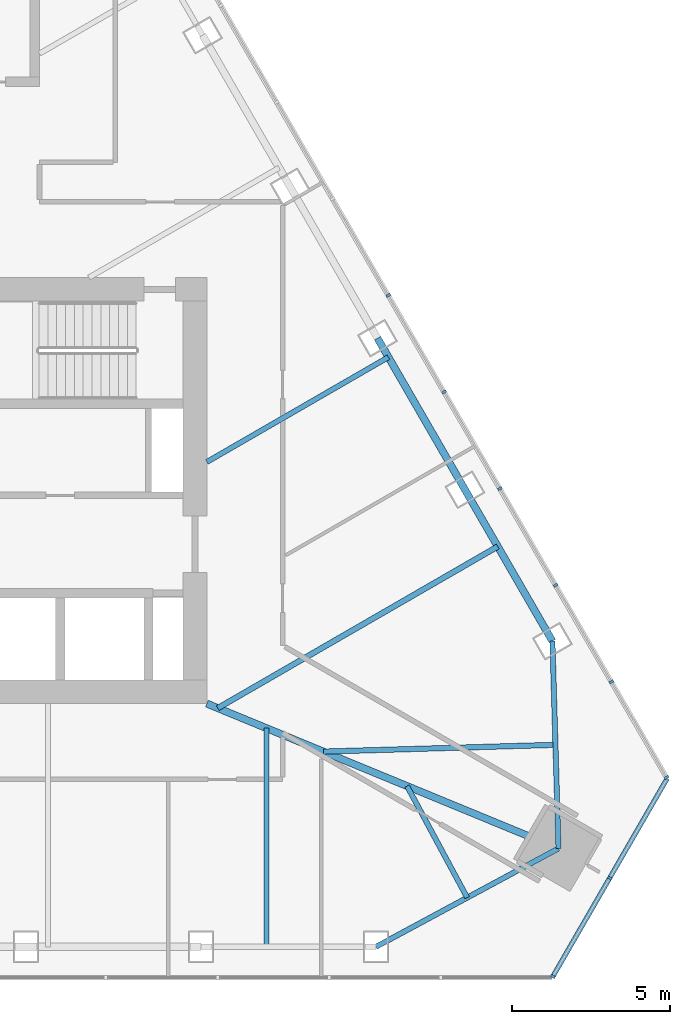
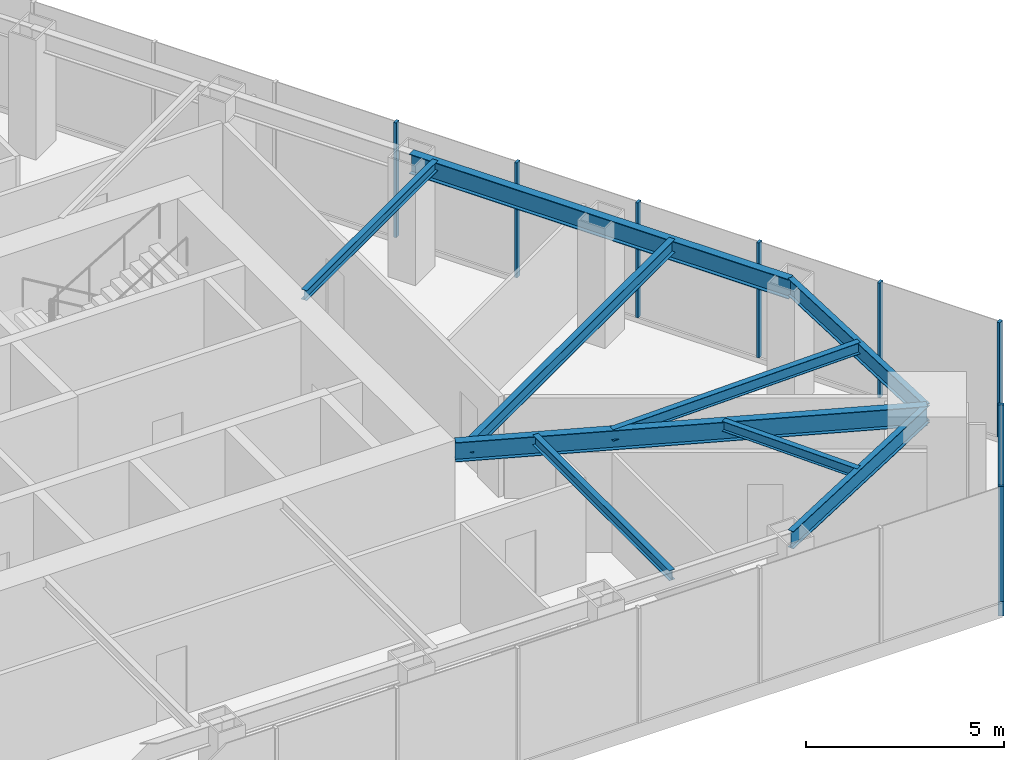
# One storey, part 7 of 13: 9 beams, 9 members, 2 elements without a shape of their own.
"""IFC4 building model written with IfcOpenShell, lengths in metres."""

from ifc_helpers import new_model, si_unit, direction, frame, origin, origin_2d, place, context, subcontext, project, spatial, rectangle, i_section, extrude, material, layer, layer_set, material_profile, profile_set, type_object, element, aggregate, save


model = new_model("IFC4")

# Units and contexts
model_context = context("Model", 3, precision=1e-05, world=origin(), true_north=direction((0.0, 1.0)))
body_context = subcontext(model_context, "Body", "Model", "MODEL_VIEW")
ifc_project = project(units=[si_unit("LENGTHUNIT", "METRE"), si_unit("AREAUNIT", "SQUARE_METRE"), si_unit("VOLUMEUNIT", "CUBIC_METRE"), si_unit("PLANEANGLEUNIT", "RADIAN"), si_unit("MASSUNIT", "GRAM", prefix="KILO")], contexts=[model_context])

# Site, building, storey
site_placement = place(None, origin())
site = spatial("IfcSite", under=ifc_project, at=site_placement, CompositionType="ELEMENT")
building_placement = place(site_placement, origin())
building = spatial("IfcBuilding", under=site, at=building_placement, Name="Firuza Gate Tower and Library", CompositionType="ELEMENT")
storey_placement = place(building_placement, frame((0.0, 0.0, 335.60009765625)))
storey = spatial("IfcBuildingStorey", under=building, at=storey_placement, Name="L82", CompositionType="ELEMENT", Elevation=335.60009765625)

# Curtain wall, members
ifc_material_1 = material(Name="Aluminium 6063-T6", Category="aluminium")
ifc_layer = layer(ifc_material_1, 0.14990234375)
ifc_layer_set = layer_set([ifc_layer], Name="Ceramic screen wall, crown plant")
curtain_wall_type = type_object("IfcCurtainWallType", Name="Ceramic screen wall, crown plant", PredefinedType="NOTDEFINED", material=ifc_layer_set)
placement = place(storey_placement, origin())
curtain_wall_1 = element("IfcCurtainWall", 1, at=placement, inside=storey, type_object=curtain_wall_type, Name="CW6 L82 SE", PredefinedType="NOTDEFINED")
ifc_material_2 = material(Name="Aluminium 6063-T6", Category="aluminium")
ifc_material_profile_1 = material_profile(ifc_material_2, rectangle(XDim=0.14990234375, YDim=0.080078125, at=origin_2d()))
ifc_profile_set_1 = profile_set([ifc_material_profile_1], Name="Aluminium 6063-T6")
member_type_1 = type_object("IfcMemberType", Name="Curtain wall mullion 80x150", PredefinedType="MULLION", material=ifc_profile_set_1)
member_1_placement = place(storey_placement, frame((94.46337890625, 59.60205078125, 0.14990234375), z_axis=(0.0, 0.0, 1.0), x_axis=(-0.866025403784, 0.5, 0.0)))
member_1 = element("IfcMember", 2, at=member_1_placement, type_object=member_type_1, Name="Mullion", PredefinedType="MULLION", context=body_context, shape_type="SweptSolid", body=[
    extrude(rectangle(XDim=0.14990234375, YDim=0.080078125, at=origin_2d()), origin(), (0.0, 0.0, 1.0), 3.550048828125),
])
member_2_placement = place(storey_placement, frame((96.264892578125, 62.72265625, 0.14990234375), z_axis=(0.0, 0.0, 1.0), x_axis=(-0.866025403784, 0.5, 0.0)))
member_2 = element("IfcMember", 3, at=member_2_placement, type_object=member_type_1, Name="Mullion", PredefinedType="MULLION", context=body_context, shape_type="SweptSolid", body=[
    extrude(rectangle(XDim=0.14990234375, YDim=0.080078125, at=origin_2d()), origin(), (0.0, 0.0, 1.0), 3.550048828125),
])

curtain_wall_2 = element("IfcCurtainWall", 4, at=placement, inside=storey, type_object=curtain_wall_type, Name="CW6 L82 E", PredefinedType="NOTDEFINED")
member_3_placement = place(storey_placement, frame((98.066650390625, 65.91259765625, 0.14990234375), z_axis=(0.0, 0.0, 1.0), x_axis=(-0.866025403784, -0.5, 0.0)))
member_3 = element("IfcMember", 5, at=member_3_placement, type_object=member_type_1, Name="Mullion", PredefinedType="MULLION", context=body_context, shape_type="SweptSolid", body=[
    extrude(rectangle(XDim=0.14990234375, YDim=0.080078125, at=origin_2d()), origin(), (0.0, 0.0, 1.0), 3.550048828125),
])
member_4_placement = place(storey_placement, frame((96.319091796875, 68.939453125, 0.14990234375), z_axis=(0.0, 0.0, 1.0), x_axis=(-0.866025403784, -0.5, 0.0)))
member_4 = element("IfcMember", 6, at=member_4_placement, type_object=member_type_1, Name="Mullion", PredefinedType="MULLION", context=body_context, shape_type="SweptSolid", body=[
    extrude(rectangle(XDim=0.14990234375, YDim=0.080078125, at=origin_2d()), origin(), (0.0, 0.0, 1.0), 3.550048828125),
])
member_5_placement = place(storey_placement, frame((94.551513671875, 72.0009765625, 0.14990234375), z_axis=(0.0, 0.0, 1.0), x_axis=(-0.866025403784, -0.5, 0.0)))
member_5 = element("IfcMember", 7, at=member_5_placement, type_object=member_type_1, Name="Mullion", PredefinedType="MULLION", context=body_context, shape_type="SweptSolid", body=[
    extrude(rectangle(XDim=0.14990234375, YDim=0.080078125, at=origin_2d()), origin(), (0.0, 0.0, 1.0), 3.550048828125),
])
member_6_placement = place(storey_placement, frame((92.783935546875, 75.0625, 0.14990234375), z_axis=(0.0, 0.0, 1.0), x_axis=(-0.866025403784, -0.5, 0.0)))
member_6 = element("IfcMember", 8, at=member_6_placement, type_object=member_type_1, Name="Mullion", PredefinedType="MULLION", context=body_context, shape_type="SweptSolid", body=[
    extrude(rectangle(XDim=0.14990234375, YDim=0.080078125, at=origin_2d()), origin(), (0.0, 0.0, 1.0), 3.550048828125),
])
member_7_placement = place(storey_placement, frame((91.016357421875, 78.1240234375, 0.14990234375), z_axis=(0.0, 0.0, 1.0), x_axis=(-0.866025403784, -0.5, 0.0)))
member_7 = element("IfcMember", 9, at=member_7_placement, type_object=member_type_1, Name="Mullion", PredefinedType="MULLION", context=body_context, shape_type="SweptSolid", body=[
    extrude(rectangle(XDim=0.14990234375, YDim=0.080078125, at=origin_2d()), origin(), (0.0, 0.0, 1.0), 3.550048828125),
])
member_8_placement = place(storey_placement, frame((89.248779296875, 81.185546875, 0.14990234375), z_axis=(0.0, 0.0, 1.0), x_axis=(-0.866025403784, -0.5, 0.0)))
member_8 = element("IfcMember", 10, at=member_8_placement, type_object=member_type_1, Name="Mullion", PredefinedType="MULLION", context=body_context, shape_type="SweptSolid", body=[
    extrude(rectangle(XDim=0.14990234375, YDim=0.080078125, at=origin_2d()), origin(), (0.0, 0.0, 1.0), 3.550048828125),
])
aggregate(curtain_wall_2, [member_3, member_4, member_5, member_6, member_7, member_8])

# Member
ifc_material_3 = material(Name="Aluminium 6063-T6", Category="aluminium")
ifc_material_profile_2 = material_profile(ifc_material_3, rectangle(XDim=0.14990234375, YDim=0.449951171875, at=origin_2d()))
ifc_profile_set_2 = profile_set([ifc_material_profile_2], Name="Aluminium 6063-T6")
member_type_2 = type_object("IfcMemberType", Name="Curtain wall transom 450x150", PredefinedType="USERDEFINED", material=ifc_profile_set_2)
member_9_placement = place(storey_placement, frame((94.443359375, 59.5673828125, -0.0751953125), z_axis=(0.499991211061, 0.866030478021, 0.0), x_axis=(-0.866030478021, 0.499991211061, 0.0)))
member_9 = element("IfcMember", 11, at=member_9_placement, type_object=member_type_2, Name="Transom", ObjectType="TRANSOM", PredefinedType="USERDEFINED", context=body_context, shape_type="SweptSolid", body=[
    extrude(rectangle(XDim=0.14990234375, YDim=0.449951171875, at=origin_2d()), origin(), (0.0, 0.0, 1.0), 7.286865234375),
])

aggregate(curtain_wall_1, [member_1, member_2, member_9])

# Beams
ifc_material_4 = material(Name="Steel S355", Category="steel")
ifc_material_profile_3 = material_profile(ifc_material_4, i_section(OverallWidth=0.1650390625, OverallDepth=0.31005859375, WebThickness=0.005859375, FlangeThickness=0.009765625, at=origin_2d()))
ifc_profile_set_3 = profile_set([ifc_material_profile_3], Name="Steel S355")
beam_type_1 = type_object("IfcBeamType", Name="W310x39 Floor beam", PredefinedType="JOIST", material=ifc_profile_set_3)
beam_1_placement = place(storey_placement, frame((85.392822265625, 60.54248046875, 3.544921875), z_axis=(0.0, 1.0, 0.0), x_axis=(-1.0, 0.0, 0.0)))
element("IfcBeam", 12, at=beam_1_placement, inside=storey, type_object=beam_type_1, Name="Floor beam L82 s23", PredefinedType="JOIST", context=body_context, shape_type="SweptSolid", body=[
    extrude(i_section(OverallWidth=0.1650390625, OverallDepth=0.31005859375, WebThickness=0.005859375, FlangeThickness=0.009765625, at=origin_2d()), origin(), (0.0, 0.0, 1.0), 6.927734375),
])
beam_2_placement = place(storey_placement, frame((91.749267578125, 62.101318359375, 3.544921875), z_axis=(-0.474502137852, 0.880254350273, 0.0), x_axis=(-0.880254350273, -0.474502137852, 0.0)))
element("IfcBeam", 13, at=beam_2_placement, inside=storey, type_object=beam_type_1, Name="Floor beam L82 s30", PredefinedType="JOIST", context=body_context, shape_type="SweptSolid", body=[
    extrude(i_section(OverallWidth=0.1650390625, OverallDepth=0.31005859375, WebThickness=0.005859375, FlangeThickness=0.009765625, at=origin_2d()), origin(), (0.0, 0.0, 1.0), 4.016357421875),
])
beam_3_placement = place(storey_placement, frame((89.252685546875, 79.228515625, 3.544921875), z_axis=(-0.866027065173, -0.499997122379, 0.0), x_axis=(0.499997122379, -0.866027065173, 0.0)))
element("IfcBeam", 14, at=beam_3_placement, inside=storey, type_object=beam_type_1, Name="Floor beam L82 s51", PredefinedType="JOIST", context=body_context, shape_type="SweptSolid", body=[
    extrude(i_section(OverallWidth=0.1650390625, OverallDepth=0.31005859375, WebThickness=0.005859375, FlangeThickness=0.009765625, at=origin_2d()), origin(), (0.0, 0.0, 1.0), 6.642578125),
])
ifc_material_5 = material(Name="Steel S355", Category="steel")
ifc_material_profile_4 = material_profile(ifc_material_5, i_section(OverallWidth=0.1708984375, OverallDepth=0.35498046875, WebThickness=0.007080078125, FlangeThickness=0.01171875, at=origin_2d()))
ifc_profile_set_4 = profile_set([ifc_material_profile_4], Name="Steel S355")
beam_type_2 = type_object("IfcBeamType", Name="W360x51 Floor beam", PredefinedType="JOIST", material=ifc_profile_set_4)
beam_4_placement = place(storey_placement, frame((94.545166015625, 66.944091796875, 3.5224609375), z_axis=(-0.999573472059, -0.029204005824, 0.0), x_axis=(0.029204005824, -0.999573472059, 0.0)))
element("IfcBeam", 15, at=beam_4_placement, inside=storey, type_object=beam_type_2, Name="Floor beam L82 s40", PredefinedType="JOIST", context=body_context, shape_type="SweptSolid", body=[
    extrude(i_section(OverallWidth=0.1708984375, OverallDepth=0.35498046875, WebThickness=0.007080078125, FlangeThickness=0.01171875, at=origin_2d()), origin(), (0.0, 0.0, 1.0), 7.356689453125),
])
ifc_material_6 = material(Name="Steel S355", Category="steel")
ifc_material_profile_5 = material_profile(ifc_material_6, i_section(OverallWidth=0.177978515625, OverallDepth=0.406982421875, WebThickness=0.0078125, FlangeThickness=0.0126953125, at=origin_2d()))
ifc_profile_set_5 = profile_set([ifc_material_profile_5], Name="Steel S355")
beam_type_3 = type_object("IfcBeamType", Name="W410x60 Floor beam", PredefinedType="JOIST", material=ifc_profile_set_5)
beam_5_placement = place(storey_placement, frame((92.717041015625, 73.228271484375, 3.496337890625), z_axis=(-0.866028396804, -0.499994815902, 0.0), x_axis=(0.499994815902, -0.866028396804, 0.0)))
element("IfcBeam", 16, at=beam_5_placement, inside=storey, type_object=beam_type_3, Name="Floor beam L82 s50", PredefinedType="JOIST", context=body_context, shape_type="SweptSolid", body=[
    extrude(i_section(OverallWidth=0.177978515625, OverallDepth=0.406982421875, WebThickness=0.0078125, FlangeThickness=0.0126953125, at=origin_2d()), origin(), (0.0, 0.0, 1.0), 10.2421875),
])
ifc_material_7 = material(Name="Steel S355", Category="steel")
ifc_material_profile_6 = material_profile(ifc_material_7, i_section(OverallWidth=0.166015625, OverallDepth=0.534912109375, WebThickness=0.01025390625, FlangeThickness=0.0166015625, at=origin_2d()))
ifc_profile_set_6 = profile_set([ifc_material_profile_6], Name="Steel S355")
beam_type_4 = type_object("IfcBeamType", Name="W530x85 Edge beam", PredefinedType="SPANDREL", material=ifc_profile_set_6)
for number, where, z_axis, x_axis, name in (
    (17, (88.857177734375, 60.54248046875, 3.432373046875), (0.880264612771, 0.474483099282, 0.0), (-0.474483099282, 0.880264612771, 0.0), "Edge beam L82 e30"),
    (18, (94.64111328125, 63.66015625, 3.432373046875), (-0.029204696052, 0.999573451893, 0.0), (-0.999573451893, -0.029204696052, 0.0), "Edge beam L82 e40"),
):
    element("IfcBeam", number, at=place(storey_placement, frame(where, z_axis=z_axis, x_axis=x_axis)), inside=storey, type_object=beam_type_4, Name=name, PredefinedType="SPANDREL", context=body_context, shape_type="SweptSolid", body=[
        extrude(i_section(OverallWidth=0.166015625, OverallDepth=0.534912109375, WebThickness=0.01025390625, FlangeThickness=0.0166015625, at=origin_2d()), origin(), (0.0, 0.0, 1.0), 6.570556640625),
    ])
ifc_material_8 = material(Name="Steel S355", Category="steel")
ifc_material_profile_7 = material_profile(ifc_material_8, i_section(OverallWidth=0.22802734375, OverallDepth=0.60302734375, WebThickness=0.010498046875, FlangeThickness=0.014892578125, at=origin_2d()))
ifc_profile_set_7 = profile_set([ifc_material_profile_7], Name="Steel S355")
beam_type_5 = type_object("IfcBeamType", Name="W610x101 Girder", PredefinedType="BEAM", material=ifc_profile_set_7)
beam_6_placement = place(storey_placement, frame((94.64111328125, 63.66015625, 3.3984375), z_axis=(-0.92461010604, 0.380914887881, 0.0), x_axis=(-0.380914887881, -0.92461010604, 0.0)))
element("IfcBeam", 19, at=beam_6_placement, inside=storey, type_object=beam_type_5, Name="Girder L82 gSE", PredefinedType="BEAM", context=body_context, shape_type="SweptSolid", body=[
    extrude(i_section(OverallWidth=0.22802734375, OverallDepth=0.60302734375, WebThickness=0.010498046875, FlangeThickness=0.014892578125, at=origin_2d()), origin(), (0.0, 0.0, 1.0), 12.049560546875),
])
ifc_material_9 = material(Name="Steel S355", Category="steel")
ifc_material_profile_8 = material_profile(ifc_material_9, i_section(OverallWidth=0.22900390625, OverallDepth=0.612060546875, WebThickness=0.011962890625, FlangeThickness=0.01953125, at=origin_2d()))
ifc_profile_set_8 = profile_set([ifc_material_profile_8], Name="Steel S355")
beam_type_6 = type_object("IfcBeamType", Name="W610x125 Edge beam", PredefinedType="SPANDREL", material=ifc_profile_set_8)
beam_7_placement = place(storey_placement, frame((94.44921875, 70.22802734375, 3.393798828125), z_axis=(-0.500004591975, 0.86602275259, 0.0), x_axis=(-0.86602275259, -0.500004591975, 0.0)))
element("IfcBeam", 20, at=beam_7_placement, inside=storey, type_object=beam_type_6, Name="Edge beam L82 e50", PredefinedType="SPANDREL", context=body_context, shape_type="SweptSolid", body=[
    extrude(i_section(OverallWidth=0.22900390625, OverallDepth=0.612060546875, WebThickness=0.011962890625, FlangeThickness=0.01953125, at=origin_2d()), origin(), (0.0, 0.0, 1.0), 11.0859375),
])

save(model, "model.ifc")
